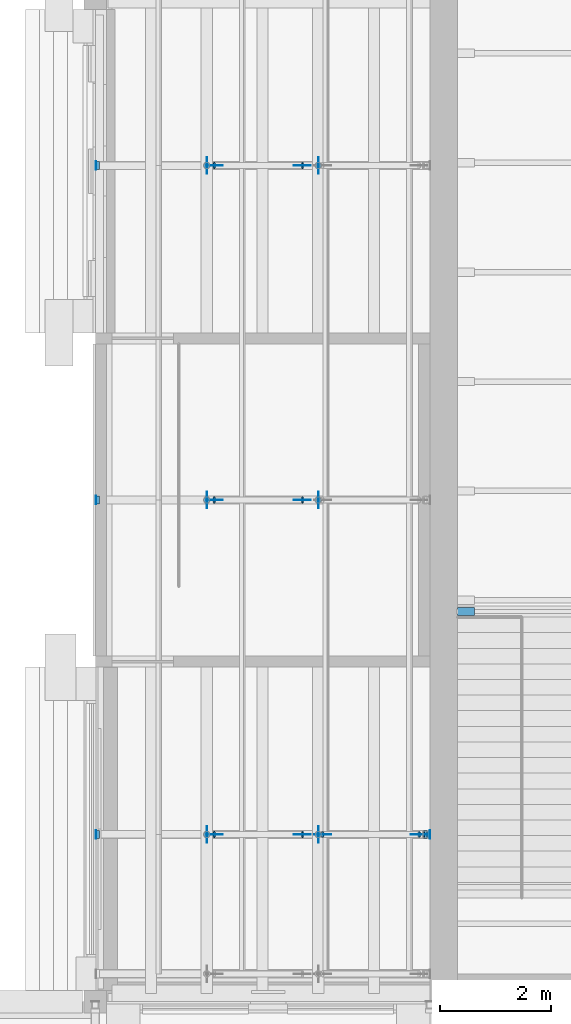
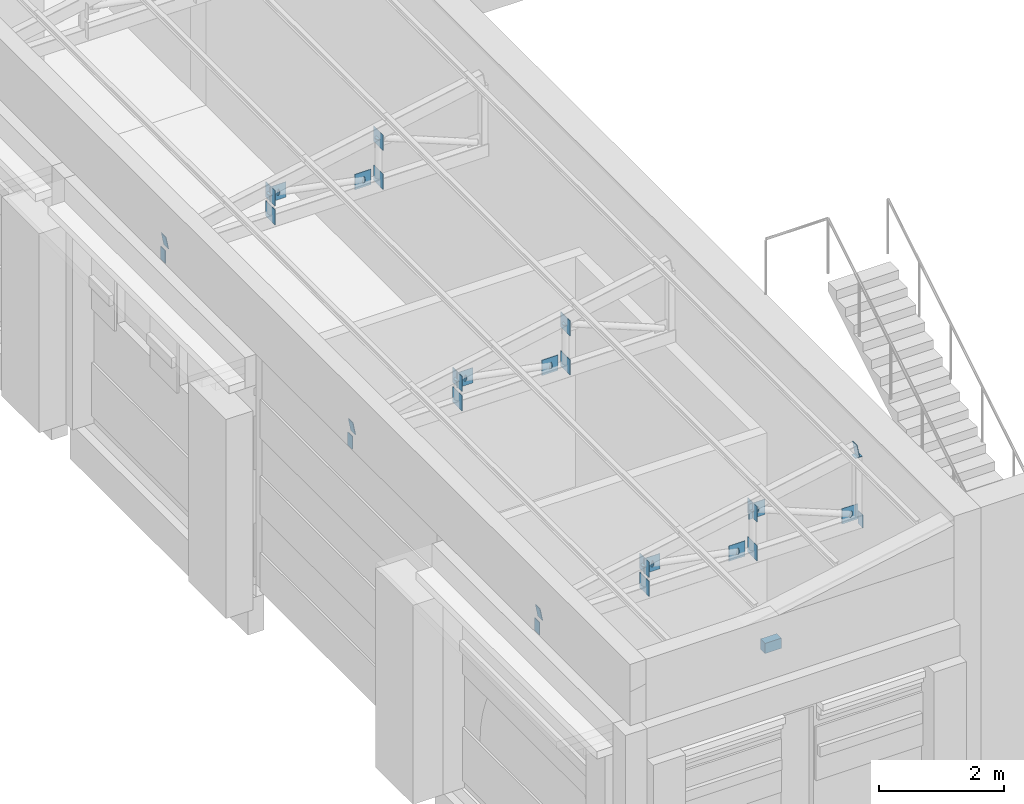
# One storey, part 93 of 118: 44 discrete accessories.
"""IFC4 building model written with IfcOpenShell, lengths in metres."""

from ifc_helpers import new_model, si_unit, direction, frame, origin, origin_2d, place, context, subcontext, project, spatial, rectangle, circle, extrude, material, material_profile, profile_set, type_object, element, save


model = new_model("IFC4")

# Units and contexts
model_context = context("Model", 3, precision=1e-05, world=origin(), true_north=direction((0.0, 1.0)))
body_context = subcontext(model_context, "Body", "Model", "MODEL_VIEW")
ifc_project = project(units=[si_unit("LENGTHUNIT", "METRE"), si_unit("AREAUNIT", "SQUARE_METRE"), si_unit("VOLUMEUNIT", "CUBIC_METRE"), si_unit("PLANEANGLEUNIT", "RADIAN"), si_unit("MASSUNIT", "GRAM", prefix="KILO")], contexts=[model_context])

# Site, building, storey
site_placement = place(None, origin())
site = spatial("IfcSite", under=ifc_project, at=site_placement, CompositionType="ELEMENT")
building_placement = place(site_placement, origin())
building = spatial("IfcBuilding", under=site, at=building_placement, Name="Saffron Lane Theatres", CompositionType="ELEMENT")
storey_placement = place(building_placement, frame((0.0, 0.0, 16.5)))
storey = spatial("IfcBuildingStorey", under=building, at=storey_placement, Name="L03", CompositionType="ELEMENT", Elevation=16.5)

# Discrete accessories
ifc_material_1 = material(Name="Steel Grade 350", Category="steel")
ifc_material_profile_1 = material_profile(ifc_material_1, rectangle(XDim=0.300048828125, YDim=0.300048828125, at=origin_2d()))
ifc_profile_set_1 = profile_set([ifc_material_profile_1], Name="Steel Grade 350")
discrete_accessory_type_1 = type_object("IfcDiscreteAccessoryType", Name="ST-GUSSET CONNECTION PLATE", PredefinedType="BRACKET", material=ifc_profile_set_1)
for number, where, z_axis, x_axis, name in (
    (1, (13.9951171875, 33.0, 4.75), (1.0, 0.0, 0.0), (0.0, 1.0, 0.0), "GB337"),
    (2, (13.9951171875, 33.0, 5.127197265625), (1.0, 0.0, 0.0), (0.0, 1.0, 0.0), "GB338"),
    (3, (15.9951171875, 33.0, 4.75), (1.0, 0.0, 0.0), (0.0, 1.0, 0.0), "GB339"),
    (4, (15.9951171875, 33.0, 5.515625), (1.0, 0.0, 0.0), (0.0, 1.0, 0.0), "GB340"),
    (5, (17.80517578125, 32.9951171875, 4.802978515625), (0.0, 1.0, 0.0), (-1.0, 0.0, 0.0), "GB341"),
    (6, (16.082275390625, 32.9951171875, 5.493896484375), (0.0, 1.0, 0.0), (-1.0, 0.0, 0.0), "GB342"),
    (7, (15.711181640625, 32.9951171875, 4.80615234375), (0.0, 1.0, 0.0), (-1.0, 0.0, 0.0), "GB343"),
    (8, (14.138916015625, 32.9951171875, 5.111328125), (0.0, 1.0, 0.0), (-1.0, 0.0, 0.0), "GB344"),
    (9, (13.9951171875, 39.0, 4.75), (1.0, 0.0, 0.0), (0.0, 1.0, 0.0), "GB345"),
    (10, (13.9951171875, 39.0, 5.127197265625), (1.0, 0.0, 0.0), (0.0, 1.0, 0.0), "GB346"),
    (11, (15.9951171875, 39.0, 4.75), (1.0, 0.0, 0.0), (0.0, 1.0, 0.0), "GB347"),
    (12, (15.9951171875, 39.0, 5.515625), (1.0, 0.0, 0.0), (0.0, 1.0, 0.0), "GB348"),
    (13, (15.711181640625, 38.9951171875, 4.80615234375), (0.0, 1.0, 0.0), (-1.0, 0.0, 0.0), "GB351"),
    (14, (14.138916015625, 38.9951171875, 5.111328125), (0.0, 1.0, 0.0), (-1.0, 0.0, 0.0), "GB352"),
    (15, (13.9951171875, 45.0, 4.75), (1.0, 0.0, 0.0), (0.0, 1.0, 0.0), "GB353"),
    (16, (13.9951171875, 45.0, 5.127197265625), (1.0, 0.0, 0.0), (0.0, 1.0, 0.0), "GB354"),
    (17, (15.9951171875, 45.0, 4.75), (1.0, 0.0, 0.0), (0.0, 1.0, 0.0), "GB355"),
    (18, (15.9951171875, 45.0, 5.515625), (1.0, 0.0, 0.0), (0.0, 1.0, 0.0), "GB356"),
    (19, (15.711181640625, 44.9951171875, 4.80615234375), (0.0, 1.0, 0.0), (-1.0, 0.0, 0.0), "GB359"),
    (20, (14.138916015625, 44.9951171875, 5.111328125), (0.0, 1.0, 0.0), (-1.0, 0.0, 0.0), "GB360"),
):
    element("IfcDiscreteAccessory", number, at=place(storey_placement, frame(where, z_axis=z_axis, x_axis=x_axis)), inside=storey, type_object=discrete_accessory_type_1, Name=name, PredefinedType="BRACKET", context=body_context, shape_type="SweptSolid", body=[
        extrude(rectangle(XDim=0.300048828125, YDim=0.300048828125, at=origin_2d()), origin(), (0.0, 0.0, 1.0), 0.009765625),
    ])
ifc_material_2 = material(Name="Steel Grade 350", Category="steel")
ifc_material_profile_2 = material_profile(ifc_material_2, circle(Radius=0.05712890625, at=origin_2d()))
ifc_profile_set_2 = profile_set([ifc_material_profile_2], Name="Steel Grade 350")
discrete_accessory_type_2 = type_object("IfcDiscreteAccessoryType", Name="ST-STEEL END CAP 114.3x6.0 CHS", PredefinedType="ANCHORPLATE", material=ifc_profile_set_2)
discrete_accessory_1_placement = place(storey_placement, frame((14.0, 33.0, 5.127197265625), z_axis=(0.0, 0.0, 1.0), x_axis=(1.0, 0.0, 0.0)))
element("IfcDiscreteAccessory", 21, at=discrete_accessory_1_placement, inside=storey, type_object=discrete_accessory_type_2, Name="EC467", PredefinedType="ANCHORPLATE", context=body_context, shape_type="SweptSolid", body=[
    extrude(circle(Radius=0.05712890625, at=origin_2d()), origin(), (0.0, 0.0, 1.0), 0.01220703125),
])
for number, where, z_axis, x_axis, name in (
    (22, (16.0, 33.0, 5.515625), (0.0, 0.0, 1.0), (1.0, 0.0, 0.0), "EC468"),
    (23, (17.81640625, 33.0, 4.798583984375), (-0.931242779706, 0.0, 0.364399348581), (0.0, -1.0, 0.0), "EC469"),
    (24, (16.082275390625, 33.0, 5.493896484375), (-0.931242779706, 0.0, 0.364399348581), (0.0, -1.0, 0.0), "EC470"),
    (25, (15.722900390625, 33.0, 4.8037109375), (-0.978980419738, 0.0, 0.203954254112), (0.0, -1.0, 0.0), "EC471"),
    (26, (14.138916015625, 33.0, 5.111328125), (-0.978980419738, 0.0, 0.203954254112), (0.0, -1.0, 0.0), "EC472"),
):
    element("IfcDiscreteAccessory", number, at=place(storey_placement, frame(where, z_axis=z_axis, x_axis=x_axis)), inside=storey, type_object=discrete_accessory_type_2, Name=name, PredefinedType="ANCHORPLATE", context=body_context, shape_type="SweptSolid", body=[
        extrude(circle(Radius=0.05712890625, at=origin_2d()), origin(), (0.0, 0.0, 1.0), 0.011962890625),
    ])
discrete_accessory_2_placement = place(storey_placement, frame((14.0, 39.0, 5.127197265625), z_axis=(0.0, 0.0, 1.0), x_axis=(1.0, 0.0, 0.0)))
element("IfcDiscreteAccessory", 27, at=discrete_accessory_2_placement, inside=storey, type_object=discrete_accessory_type_2, Name="EC478", PredefinedType="ANCHORPLATE", context=body_context, shape_type="SweptSolid", body=[
    extrude(circle(Radius=0.05712890625, at=origin_2d()), origin(), (0.0, 0.0, 1.0), 0.01220703125),
])
for number, where, z_axis, x_axis, name in (
    (28, (16.0, 39.0, 5.515625), (0.0, 0.0, 1.0), (1.0, 0.0, 0.0), "EC479"),
    (29, (15.722900390625, 39.0, 4.8037109375), (-0.978980419738, 0.0, 0.203954254112), (0.0, -1.0, 0.0), "EC482"),
    (30, (14.138916015625, 39.0, 5.111328125), (-0.978980419738, 0.0, 0.203954254112), (0.0, -1.0, 0.0), "EC483"),
):
    element("IfcDiscreteAccessory", number, at=place(storey_placement, frame(where, z_axis=z_axis, x_axis=x_axis)), inside=storey, type_object=discrete_accessory_type_2, Name=name, PredefinedType="ANCHORPLATE", context=body_context, shape_type="SweptSolid", body=[
        extrude(circle(Radius=0.05712890625, at=origin_2d()), origin(), (0.0, 0.0, 1.0), 0.011962890625),
    ])
discrete_accessory_3_placement = place(storey_placement, frame((14.0, 45.0, 5.127197265625), z_axis=(0.0, 0.0, 1.0), x_axis=(1.0, 0.0, 0.0)))
element("IfcDiscreteAccessory", 31, at=discrete_accessory_3_placement, inside=storey, type_object=discrete_accessory_type_2, Name="EC489", PredefinedType="ANCHORPLATE", context=body_context, shape_type="SweptSolid", body=[
    extrude(circle(Radius=0.05712890625, at=origin_2d()), origin(), (0.0, 0.0, 1.0), 0.01220703125),
])
for number, where, z_axis, x_axis, name in (
    (32, (16.0, 45.0, 5.515625), (0.0, 0.0, 1.0), (1.0, 0.0, 0.0), "EC490"),
    (33, (15.722900390625, 45.0, 4.8037109375), (-0.978980419738, 0.0, 0.203954254112), (0.0, -1.0, 0.0), "EC493"),
    (34, (14.138916015625, 45.0, 5.111328125), (-0.978980419738, 0.0, 0.203954254112), (0.0, -1.0, 0.0), "EC494"),
):
    element("IfcDiscreteAccessory", number, at=place(storey_placement, frame(where, z_axis=z_axis, x_axis=x_axis)), inside=storey, type_object=discrete_accessory_type_2, Name=name, PredefinedType="ANCHORPLATE", context=body_context, shape_type="SweptSolid", body=[
        extrude(circle(Radius=0.05712890625, at=origin_2d()), origin(), (0.0, 0.0, 1.0), 0.011962890625),
    ])
ifc_material_3 = material(Name="Steel Grade 350", Category="steel")
ifc_material_profile_3 = material_profile(ifc_material_3, rectangle(XDim=0.125, YDim=0.125, at=origin_2d()))
ifc_profile_set_3 = profile_set([ifc_material_profile_3], Name="Steel Grade 350")
discrete_accessory_type_3 = type_object("IfcDiscreteAccessoryType", Name="ST-STEEL END CAP 125x125x6 SHS", PredefinedType="ANCHORPLATE", material=ifc_profile_set_3)
discrete_accessory_4_placement = place(storey_placement, frame((17.9375, 33.0, 5.890869140625), z_axis=(0.0, 0.0, 1.0), x_axis=(1.0, 0.0, 0.0)))
element("IfcDiscreteAccessory", 35, at=discrete_accessory_4_placement, inside=storey, type_object=discrete_accessory_type_3, Name="EC466", PredefinedType="ANCHORPLATE", context=body_context, shape_type="SweptSolid", body=[
    extrude(rectangle(XDim=0.125, YDim=0.125, at=origin_2d()), origin(), (0.0, 0.0, 1.0), 0.011962890625),
])
ifc_material_4 = material(Name="Steel Grade 350", Category="steel")
ifc_material_profile_4 = material_profile(ifc_material_4, rectangle(XDim=0.14990234375, YDim=0.25, at=origin_2d()))
ifc_profile_set_4 = profile_set([ifc_material_profile_4], Name="Steel Grade 350")
discrete_accessory_type_4 = type_object("IfcDiscreteAccessoryType", Name="ST-STEEL END CAP 250x150x9 RHS", PredefinedType="ANCHORPLATE", material=ifc_profile_set_4)
for number, where, z_axis, x_axis, name in (
    (36, (12.008056640625, 33.0, 4.625), (1.0, 0.0, 0.0), (0.0, 1.0, 0.0), "EC462"),
    (37, (18.0, 33.0, 4.625), (1.0, 0.0, 0.0), (0.0, 1.0, 0.0), "EC463"),
    (38, (12.0419921875, 33.0, 4.885498046875), (0.982872186934, 0.0, 0.18428853505), (0.0, 1.0, 0.0), "EC464"),
):
    element("IfcDiscreteAccessory", number, at=place(storey_placement, frame(where, z_axis=z_axis, x_axis=x_axis)), inside=storey, type_object=discrete_accessory_type_4, Name=name, PredefinedType="ANCHORPLATE", context=body_context, shape_type="SweptSolid", body=[
        extrude(rectangle(XDim=0.14990234375, YDim=0.25, at=origin_2d()), origin(), (0.0, 0.0, 1.0), 0.011962890625),
    ])
discrete_accessory_5_placement = place(storey_placement, frame((17.91357421875, 33.0, 6.02587890625), z_axis=(0.983547166232, 0.0, 0.180651520328), x_axis=(0.0, 1.0, 0.0)))
element("IfcDiscreteAccessory", 39, at=discrete_accessory_5_placement, inside=storey, type_object=discrete_accessory_type_4, Name="EC465", PredefinedType="ANCHORPLATE", context=body_context, shape_type="SweptSolid", body=[
    extrude(rectangle(XDim=0.14990234375, YDim=0.25, at=origin_2d()), origin(), (0.0, 0.0, 1.0), 0.01220703125),
])
for number, where, z_axis, x_axis, name in (
    (40, (12.008056640625, 39.0, 4.625), (1.0, 0.0, 0.0), (0.0, 1.0, 0.0), "EC473"),
    (41, (12.0419921875, 39.0, 4.885498046875), (0.982872186934, 0.0, 0.18428853505), (0.0, 1.0, 0.0), "EC475"),
    (42, (12.008056640625, 45.0, 4.625), (1.0, 0.0, 0.0), (0.0, 1.0, 0.0), "EC484"),
    (43, (12.0419921875, 45.0, 4.885498046875), (0.982872186934, 0.0, 0.18428853505), (0.0, 1.0, 0.0), "EC486"),
):
    element("IfcDiscreteAccessory", number, at=place(storey_placement, frame(where, z_axis=z_axis, x_axis=x_axis)), inside=storey, type_object=discrete_accessory_type_4, Name=name, PredefinedType="ANCHORPLATE", context=body_context, shape_type="SweptSolid", body=[
        extrude(rectangle(XDim=0.14990234375, YDim=0.25, at=origin_2d()), origin(), (0.0, 0.0, 1.0), 0.011962890625),
    ])
discrete_accessory_6_placement = place(storey_placement, frame((18.64990234375, 37.0, -0.5615234375), z_axis=(0.0, 0.0, 1.0), x_axis=(1.0, 0.0, 0.0)))
element("IfcDiscreteAccessory", 44, at=discrete_accessory_6_placement, inside=storey, Name="FKW16.5-1", PredefinedType="BRACKET", context=body_context, shape_type="SweptSolid", body=[
    extrude(rectangle(XDim=0.300048828125, YDim=0.14990234375, at=origin_2d()), origin(), (0.0, 0.0, 1.0), 0.199951171875),
])

save(model, "model.ifc")
